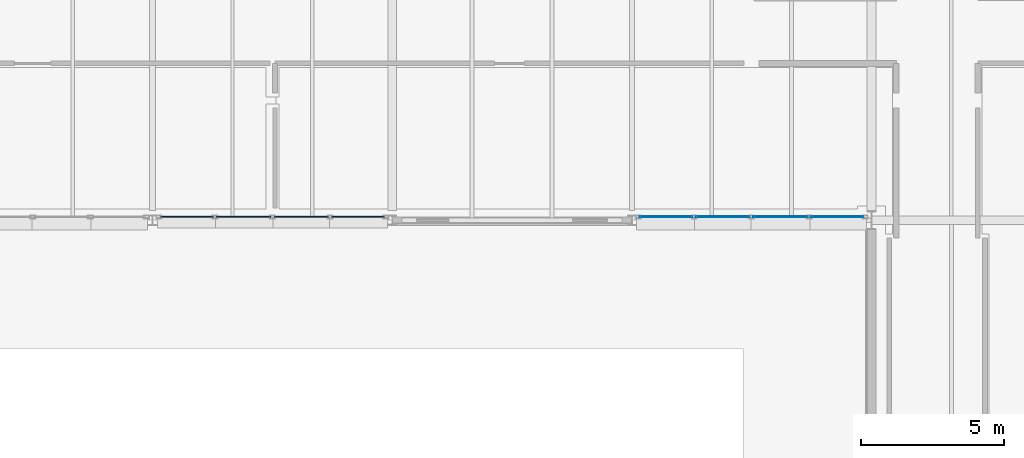
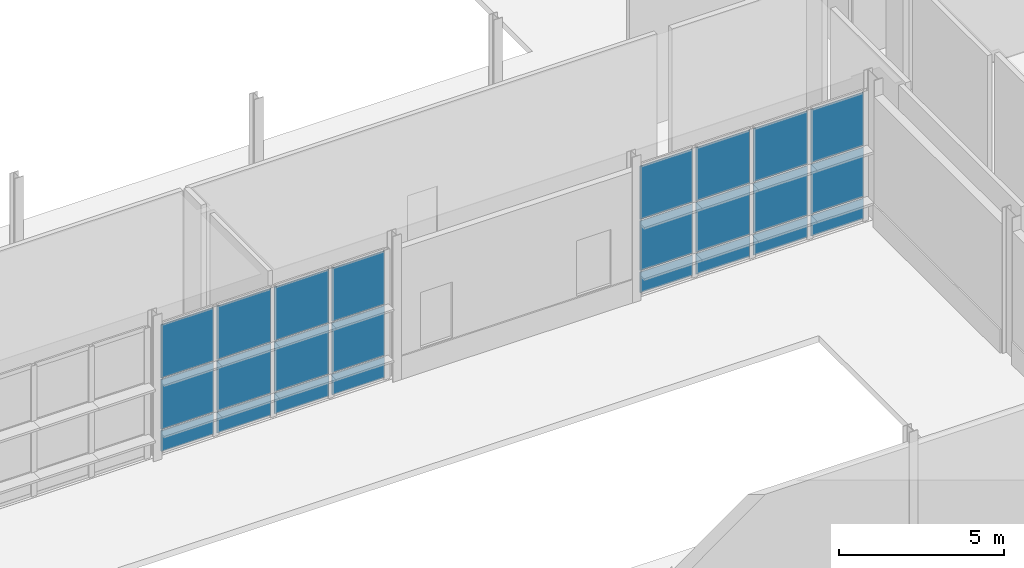
# One storey, part 71 of 124: 24 plates, 2 elements without a shape of their own.
"""IFC4 building model written with IfcOpenShell, lengths in metres."""

from ifc_helpers import new_model, si_unit, direction, frame, origin, origin_2d, place, context, subcontext, project, spatial, rectangle, extrude, material, layer, layer_set, type_object, element, aggregate, save


model = new_model("IFC4")

# Units and contexts
model_context = context("Model", 3, precision=1e-05, world=origin(), true_north=direction((0.0, 1.0)))
body_context = subcontext(model_context, "Body", "Model", "MODEL_VIEW")
ifc_project = project(units=[si_unit("LENGTHUNIT", "METRE"), si_unit("AREAUNIT", "SQUARE_METRE"), si_unit("VOLUMEUNIT", "CUBIC_METRE"), si_unit("PLANEANGLEUNIT", "RADIAN"), si_unit("MASSUNIT", "GRAM", prefix="KILO")], contexts=[model_context])

# Site, building, storey
site_placement = place(None, origin())
site = spatial("IfcSite", under=ifc_project, at=site_placement, CompositionType="ELEMENT")
building_placement = place(site_placement, origin())
building = spatial("IfcBuilding", under=site, at=building_placement, Name="Mersafa Astral City Hall", CompositionType="ELEMENT")
storey_placement = place(building_placement, origin())
storey = spatial("IfcBuildingStorey", under=building, at=storey_placement, Name="L00", CompositionType="ELEMENT", Elevation=0.0)

# Curtain wall, plates
ifc_material_1 = material(Name="Anodised bronze aluminium framing", Category="aluminium")
curtain_wall_type_1 = type_object("IfcCurtainWallType", Name="ENV-CW-3", PredefinedType="USERDEFINED", material=ifc_material_1)
curtain_wall_1_placement = place(storey_placement, origin())
curtain_wall_1 = element("IfcCurtainWall", 1, at=curtain_wall_1_placement, inside=storey, type_object=curtain_wall_type_1, Name="L00 Unitised solar curtain wall 44", ObjectType="UNITISED CURTAIN WALL", PredefinedType="USERDEFINED")
ifc_material_2 = material(Name="Solar control low-e double glazing", Category="glass")
ifc_layer_1 = layer(ifc_material_2, 0.028076171875, Name="Solar control low-e double glazing")
ifc_layer_set_1 = layer_set([ifc_layer_1], Name="Solar control low-e double glazing — ENV-CW-PNL-GLZ-1")
plate_type_1 = type_object("IfcPlateType", Name="ENV-CW-PNL-GLZ-1", PredefinedType="CURTAIN_PANEL", material=ifc_layer_set_1)
plate_1_placement = place(storey_placement, frame((85.201416015625, 50.52001953125, 0.05810546875), z_axis=(0.0, 0.0, 1.0), x_axis=(1.0, 0.0, 0.0)))
plate_1 = element("IfcPlate", 2, at=plate_1_placement, type_object=plate_type_1, Name="CW-3 panel 1.1", PredefinedType="CURTAIN_PANEL", context=body_context, shape_type="SweptSolid", body=[
    extrude(rectangle(XDim=1.839111328125, YDim=0.028076171875, at=origin_2d()), origin(), (0.0, 0.0, 1.0), 0.761962890625),
])
plate_2_placement = place(storey_placement, frame((85.201416015625, 50.52001953125, 0.8798828125), z_axis=(0.0, 0.0, 1.0), x_axis=(1.0, 0.0, 0.0)))
plate_2 = element("IfcPlate", 3, at=plate_2_placement, type_object=plate_type_1, Name="CW-3 panel 1.2", PredefinedType="CURTAIN_PANEL", context=body_context, shape_type="SweptSolid", body=[
    extrude(rectangle(XDim=1.839111328125, YDim=0.028076171875, at=origin_2d()), origin(), (0.0, 0.0, 1.0), 1.840087890625),
])
plate_3_placement = place(storey_placement, frame((85.201416015625, 50.52001953125, 2.7802734375), z_axis=(0.0, 0.0, 1.0), x_axis=(1.0, 0.0, 0.0)))
plate_3 = element("IfcPlate", 4, at=plate_3_placement, type_object=plate_type_1, Name="CW-3 panel 1.3", PredefinedType="CURTAIN_PANEL", context=body_context, shape_type="SweptSolid", body=[
    extrude(rectangle(XDim=1.839111328125, YDim=0.028076171875, at=origin_2d()), origin(), (0.0, 0.0, 1.0), 1.971923828125),
])
plate_4_placement = place(storey_placement, frame((87.1904296875, 50.52001953125, 0.05810546875), z_axis=(0.0, 0.0, 1.0), x_axis=(1.0, 0.0, 0.0)))
plate_4 = element("IfcPlate", 5, at=plate_4_placement, type_object=plate_type_1, Name="CW-3 panel 2.1", PredefinedType="CURTAIN_PANEL", context=body_context, shape_type="SweptSolid", body=[
    extrude(rectangle(XDim=1.89892578125, YDim=0.028076171875, at=origin_2d()), origin(), (0.0, 0.0, 1.0), 0.761962890625),
])
plate_5_placement = place(storey_placement, frame((87.1904296875, 50.52001953125, 0.8798828125), z_axis=(0.0, 0.0, 1.0), x_axis=(1.0, 0.0, 0.0)))
plate_5 = element("IfcPlate", 6, at=plate_5_placement, type_object=plate_type_1, Name="CW-3 panel 2.2", PredefinedType="CURTAIN_PANEL", context=body_context, shape_type="SweptSolid", body=[
    extrude(rectangle(XDim=1.89892578125, YDim=0.028076171875, at=origin_2d()), origin(), (0.0, 0.0, 1.0), 1.840087890625),
])
plate_6_placement = place(storey_placement, frame((87.1904296875, 50.52001953125, 2.7802734375), z_axis=(0.0, 0.0, 1.0), x_axis=(1.0, 0.0, 0.0)))
plate_6 = element("IfcPlate", 7, at=plate_6_placement, type_object=plate_type_1, Name="CW-3 panel 2.3", PredefinedType="CURTAIN_PANEL", context=body_context, shape_type="SweptSolid", body=[
    extrude(rectangle(XDim=1.89892578125, YDim=0.028076171875, at=origin_2d()), origin(), (0.0, 0.0, 1.0), 1.971923828125),
])
plate_7_placement = place(storey_placement, frame((89.20947265625, 50.52001953125, 0.05810546875), z_axis=(0.0, 0.0, 1.0), x_axis=(1.0, 0.0, 0.0)))
plate_7 = element("IfcPlate", 8, at=plate_7_placement, type_object=plate_type_1, Name="CW-3 panel 3.1", PredefinedType="CURTAIN_PANEL", context=body_context, shape_type="SweptSolid", body=[
    extrude(rectangle(XDim=1.89892578125, YDim=0.028076171875, at=origin_2d()), origin(), (0.0, 0.0, 1.0), 0.761962890625),
])
plate_8_placement = place(storey_placement, frame((89.20947265625, 50.52001953125, 0.8798828125), z_axis=(0.0, 0.0, 1.0), x_axis=(1.0, 0.0, 0.0)))
plate_8 = element("IfcPlate", 9, at=plate_8_placement, type_object=plate_type_1, Name="CW-3 panel 3.2", PredefinedType="CURTAIN_PANEL", context=body_context, shape_type="SweptSolid", body=[
    extrude(rectangle(XDim=1.89892578125, YDim=0.028076171875, at=origin_2d()), origin(), (0.0, 0.0, 1.0), 1.840087890625),
])
plate_9_placement = place(storey_placement, frame((89.20947265625, 50.52001953125, 2.7802734375), z_axis=(0.0, 0.0, 1.0), x_axis=(1.0, 0.0, 0.0)))
plate_9 = element("IfcPlate", 10, at=plate_9_placement, type_object=plate_type_1, Name="CW-3 panel 3.3", PredefinedType="CURTAIN_PANEL", context=body_context, shape_type="SweptSolid", body=[
    extrude(rectangle(XDim=1.89892578125, YDim=0.028076171875, at=origin_2d()), origin(), (0.0, 0.0, 1.0), 1.971923828125),
])
plate_10_placement = place(storey_placement, frame((91.198486328125, 50.52001953125, 0.05810546875), z_axis=(0.0, 0.0, 1.0), x_axis=(1.0, 0.0, 0.0)))
plate_10 = element("IfcPlate", 11, at=plate_10_placement, type_object=plate_type_1, Name="CW-3 panel 4.1", PredefinedType="CURTAIN_PANEL", context=body_context, shape_type="SweptSolid", body=[
    extrude(rectangle(XDim=1.839111328125, YDim=0.028076171875, at=origin_2d()), origin(), (0.0, 0.0, 1.0), 0.761962890625),
])
plate_11_placement = place(storey_placement, frame((91.198486328125, 50.52001953125, 0.8798828125), z_axis=(0.0, 0.0, 1.0), x_axis=(1.0, 0.0, 0.0)))
plate_11 = element("IfcPlate", 12, at=plate_11_placement, type_object=plate_type_1, Name="CW-3 panel 4.2", PredefinedType="CURTAIN_PANEL", context=body_context, shape_type="SweptSolid", body=[
    extrude(rectangle(XDim=1.839111328125, YDim=0.028076171875, at=origin_2d()), origin(), (0.0, 0.0, 1.0), 1.840087890625),
])
plate_12_placement = place(storey_placement, frame((91.198486328125, 50.52001953125, 2.7802734375), z_axis=(0.0, 0.0, 1.0), x_axis=(1.0, 0.0, 0.0)))
plate_12 = element("IfcPlate", 13, at=plate_12_placement, type_object=plate_type_1, Name="CW-3 panel 4.3", PredefinedType="CURTAIN_PANEL", context=body_context, shape_type="SweptSolid", body=[
    extrude(rectangle(XDim=1.839111328125, YDim=0.028076171875, at=origin_2d()), origin(), (0.0, 0.0, 1.0), 1.971923828125),
])
aggregate(curtain_wall_1, [plate_1, plate_2, plate_3, plate_4, plate_5, plate_6, plate_7, plate_8, plate_9, plate_10, plate_11, plate_12])

curtain_wall_type_2 = type_object("IfcCurtainWallType", Name="ENV-CW-2", PredefinedType="USERDEFINED", material=ifc_material_1)
curtain_wall_2_placement = place(storey_placement, origin())
curtain_wall_2 = element("IfcCurtainWall", 14, at=curtain_wall_2_placement, inside=storey, type_object=curtain_wall_type_2, Name="L00 Unitised solar curtain wall 43", ObjectType="UNITISED CURTAIN WALL", PredefinedType="USERDEFINED")
ifc_layer_2 = layer(ifc_material_2, 0.0400390625, Name="Solar control low-e double glazing")
ifc_layer_set_2 = layer_set([ifc_layer_2], Name="Solar control low-e double glazing — ENV-CW-PNL-GLZ-4")
plate_type_2 = type_object("IfcPlateType", Name="ENV-CW-PNL-GLZ-4", PredefinedType="CURTAIN_PANEL", material=ifc_layer_set_2)
plate_13_placement = place(storey_placement, frame((68.401611328125, 50.52001953125, 0.05810546875), z_axis=(0.0, 0.0, 1.0), x_axis=(1.0, 0.0, 0.0)))
plate_13 = element("IfcPlate", 15, at=plate_13_placement, type_object=plate_type_2, Name="CW-2 panel 1.1", PredefinedType="CURTAIN_PANEL", context=body_context, shape_type="SweptSolid", body=[
    extrude(rectangle(XDim=1.839111328125, YDim=0.0400390625, at=origin_2d()), origin(), (0.0, 0.0, 1.0), 0.761962890625),
])
plate_14_placement = place(storey_placement, frame((68.401611328125, 50.52001953125, 0.8798828125), z_axis=(0.0, 0.0, 1.0), x_axis=(1.0, 0.0, 0.0)))
plate_14 = element("IfcPlate", 16, at=plate_14_placement, type_object=plate_type_2, Name="CW-2 panel 1.2", PredefinedType="CURTAIN_PANEL", context=body_context, shape_type="SweptSolid", body=[
    extrude(rectangle(XDim=1.839111328125, YDim=0.0400390625, at=origin_2d()), origin(), (0.0, 0.0, 1.0), 1.840087890625),
])
plate_15_placement = place(storey_placement, frame((68.401611328125, 50.52001953125, 2.7802734375), z_axis=(0.0, 0.0, 1.0), x_axis=(1.0, 0.0, 0.0)))
plate_15 = element("IfcPlate", 17, at=plate_15_placement, type_object=plate_type_2, Name="CW-2 panel 1.3", PredefinedType="CURTAIN_PANEL", context=body_context, shape_type="SweptSolid", body=[
    extrude(rectangle(XDim=1.839111328125, YDim=0.0400390625, at=origin_2d()), origin(), (0.0, 0.0, 1.0), 1.971923828125),
])
plate_16_placement = place(storey_placement, frame((70.390380859375, 50.52001953125, 0.05810546875), z_axis=(0.0, 0.0, 1.0), x_axis=(1.0, 0.0, 0.0)))
plate_16 = element("IfcPlate", 18, at=plate_16_placement, type_object=plate_type_2, Name="CW-2 panel 2.1", PredefinedType="CURTAIN_PANEL", context=body_context, shape_type="SweptSolid", body=[
    extrude(rectangle(XDim=1.89892578125, YDim=0.0400390625, at=origin_2d()), origin(), (0.0, 0.0, 1.0), 0.761962890625),
])
plate_17_placement = place(storey_placement, frame((70.390380859375, 50.52001953125, 0.8798828125), z_axis=(0.0, 0.0, 1.0), x_axis=(1.0, 0.0, 0.0)))
plate_17 = element("IfcPlate", 19, at=plate_17_placement, type_object=plate_type_2, Name="CW-2 panel 2.2", PredefinedType="CURTAIN_PANEL", context=body_context, shape_type="SweptSolid", body=[
    extrude(rectangle(XDim=1.89892578125, YDim=0.0400390625, at=origin_2d()), origin(), (0.0, 0.0, 1.0), 1.840087890625),
])
plate_18_placement = place(storey_placement, frame((70.390380859375, 50.52001953125, 2.7802734375), z_axis=(0.0, 0.0, 1.0), x_axis=(1.0, 0.0, 0.0)))
plate_18 = element("IfcPlate", 20, at=plate_18_placement, type_object=plate_type_2, Name="CW-2 panel 2.3", PredefinedType="CURTAIN_PANEL", context=body_context, shape_type="SweptSolid", body=[
    extrude(rectangle(XDim=1.89892578125, YDim=0.0400390625, at=origin_2d()), origin(), (0.0, 0.0, 1.0), 1.971923828125),
])
plate_19_placement = place(storey_placement, frame((72.409423828125, 50.52001953125, 0.05810546875), z_axis=(0.0, 0.0, 1.0), x_axis=(1.0, 0.0, 0.0)))
plate_19 = element("IfcPlate", 21, at=plate_19_placement, type_object=plate_type_2, Name="CW-2 panel 3.1", PredefinedType="CURTAIN_PANEL", context=body_context, shape_type="SweptSolid", body=[
    extrude(rectangle(XDim=1.89892578125, YDim=0.0400390625, at=origin_2d()), origin(), (0.0, 0.0, 1.0), 0.761962890625),
])
plate_20_placement = place(storey_placement, frame((72.409423828125, 50.52001953125, 0.8798828125), z_axis=(0.0, 0.0, 1.0), x_axis=(1.0, 0.0, 0.0)))
plate_20 = element("IfcPlate", 22, at=plate_20_placement, type_object=plate_type_2, Name="CW-2 panel 3.2", PredefinedType="CURTAIN_PANEL", context=body_context, shape_type="SweptSolid", body=[
    extrude(rectangle(XDim=1.89892578125, YDim=0.0400390625, at=origin_2d()), origin(), (0.0, 0.0, 1.0), 1.840087890625),
])
plate_21_placement = place(storey_placement, frame((72.409423828125, 50.52001953125, 2.7802734375), z_axis=(0.0, 0.0, 1.0), x_axis=(1.0, 0.0, 0.0)))
plate_21 = element("IfcPlate", 23, at=plate_21_placement, type_object=plate_type_2, Name="CW-2 panel 3.3", PredefinedType="CURTAIN_PANEL", context=body_context, shape_type="SweptSolid", body=[
    extrude(rectangle(XDim=1.89892578125, YDim=0.0400390625, at=origin_2d()), origin(), (0.0, 0.0, 1.0), 1.971923828125),
])
plate_22_placement = place(storey_placement, frame((74.3984375, 50.52001953125, 0.05810546875), z_axis=(0.0, 0.0, 1.0), x_axis=(1.0, 0.0, 0.0)))
plate_22 = element("IfcPlate", 24, at=plate_22_placement, type_object=plate_type_2, Name="CW-2 panel 4.1", PredefinedType="CURTAIN_PANEL", context=body_context, shape_type="SweptSolid", body=[
    extrude(rectangle(XDim=1.839111328125, YDim=0.0400390625, at=origin_2d()), origin(), (0.0, 0.0, 1.0), 0.761962890625),
])
plate_23_placement = place(storey_placement, frame((74.3984375, 50.52001953125, 0.8798828125), z_axis=(0.0, 0.0, 1.0), x_axis=(1.0, 0.0, 0.0)))
plate_23 = element("IfcPlate", 25, at=plate_23_placement, type_object=plate_type_2, Name="CW-2 panel 4.2", PredefinedType="CURTAIN_PANEL", context=body_context, shape_type="SweptSolid", body=[
    extrude(rectangle(XDim=1.839111328125, YDim=0.0400390625, at=origin_2d()), origin(), (0.0, 0.0, 1.0), 1.840087890625),
])
plate_24_placement = place(storey_placement, frame((74.3984375, 50.52001953125, 2.7802734375), z_axis=(0.0, 0.0, 1.0), x_axis=(1.0, 0.0, 0.0)))
plate_24 = element("IfcPlate", 26, at=plate_24_placement, type_object=plate_type_2, Name="CW-2 panel 4.3", PredefinedType="CURTAIN_PANEL", context=body_context, shape_type="SweptSolid", body=[
    extrude(rectangle(XDim=1.839111328125, YDim=0.0400390625, at=origin_2d()), origin(), (0.0, 0.0, 1.0), 1.971923828125),
])
aggregate(curtain_wall_2, [plate_13, plate_14, plate_15, plate_16, plate_17, plate_18, plate_19, plate_20, plate_21, plate_22, plate_23, plate_24])

save(model, "model.ifc")
